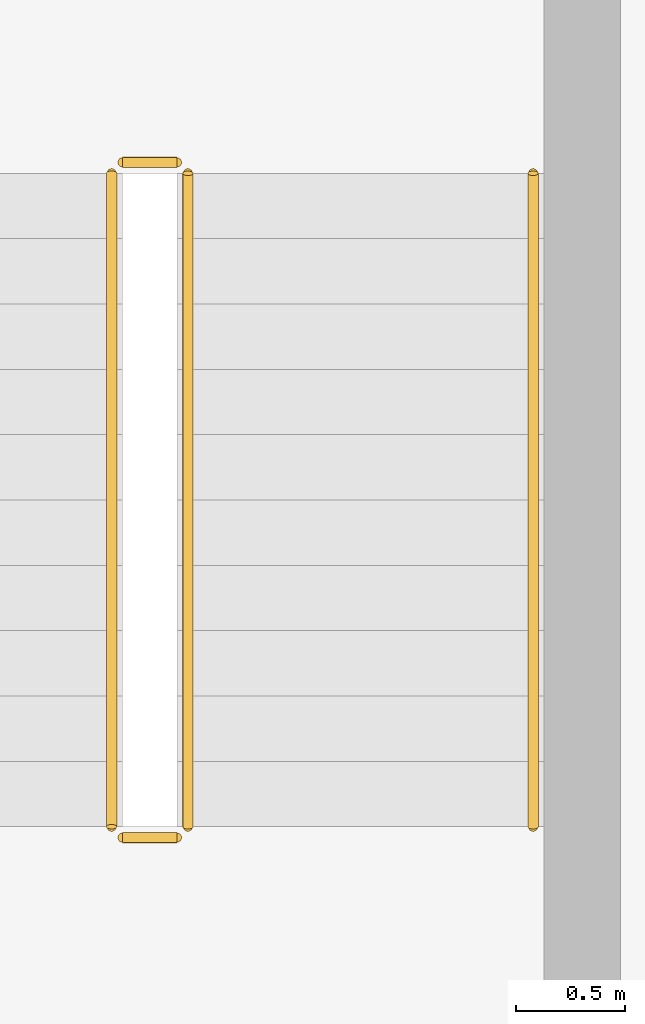
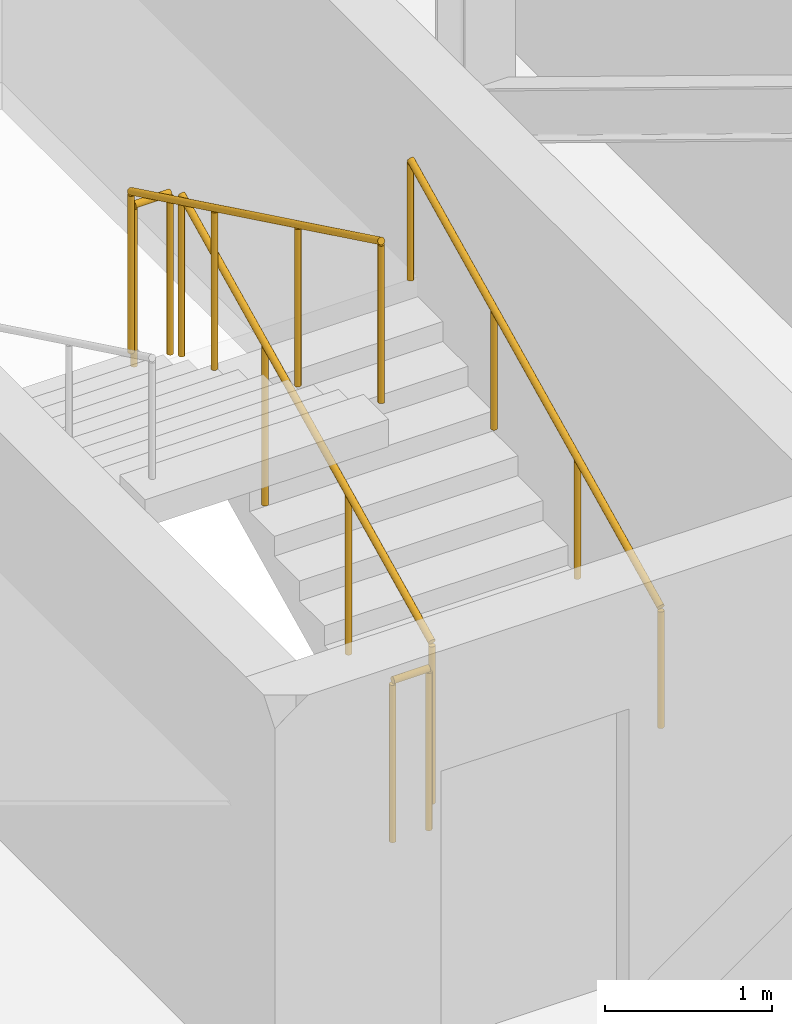
# One storey, part 27 of 30: 5 railings.
"""IFC4 building model written with IfcOpenShell, lengths in metres."""

from ifc_helpers import new_model, si_unit, direction, frame, origin, origin_2d, place, context, subcontext, project, spatial, circle, extrude, material, type_object, element, save


model = new_model("IFC4")

# Units and contexts
model_context = context("Model", 3, precision=1e-05, world=origin(), true_north=direction((0.0, 1.0)))
body_context = subcontext(model_context, "Body", "Model", "MODEL_VIEW")
ifc_project = project(units=[si_unit("LENGTHUNIT", "METRE"), si_unit("AREAUNIT", "SQUARE_METRE"), si_unit("VOLUMEUNIT", "CUBIC_METRE"), si_unit("PLANEANGLEUNIT", "RADIAN"), si_unit("MASSUNIT", "GRAM", prefix="KILO")], contexts=[model_context])

# Site, building, storey
site_placement = place(None, origin())
site = spatial("IfcSite", under=ifc_project, at=site_placement, CompositionType="ELEMENT")
building_placement = place(site_placement, origin())
building = spatial("IfcBuilding", under=site, at=building_placement, Name="Chuanluo Vaults Station", CompositionType="ELEMENT")
storey_placement = place(building_placement, frame((0.0, 0.0, 17.60009765625)))
storey = spatial("IfcBuildingStorey", under=building, at=storey_placement, Name="L04", CompositionType="ELEMENT", Elevation=17.60009765625)

# Railings
ifc_material_1 = material(Name="Tempered laminated balustrade glass", Category="glass")
railing_type_1 = type_object("IfcRailingType", Name="RLG-GUARD-1200", PredefinedType="BALUSTRADE", material=ifc_material_1)
railing_1_placement = place(storey_placement, frame((176.052490234375, 88.1875, 0.145263671875)))
element("IfcRailing", 1, at=railing_1_placement, inside=storey, type_object=railing_type_1, Name="L04 ST-01 stair guard 1", PredefinedType="BALUSTRADE", context=body_context, shape_type="SweptSolid", body=[
    extrude(circle(Radius=0.02392578125, at=origin_2d()), frame((0.0, 0.0, 1.17578125), z_axis=(0.0, 0.899808880547, 0.43628428632), x_axis=(-1.0, 0.0, 0.0)), (0.0, 0.0, 1.0), 3.333984375),
    extrude(circle(Radius=0.02099609375, at=origin_2d()), origin(), (0.0, 0.0, 1.0), 1.15185546875),
    extrude(circle(Radius=0.02099609375, at=origin_2d()), frame((0.0, 1.0, 0.48486328125)), (0.0, 0.0, 1.0), 1.15185546875),
    extrude(circle(Radius=0.02099609375, at=origin_2d()), frame((0.0, 2.0, 0.9697265625)), (0.0, 0.0, 1.0), 1.15185546875),
    extrude(circle(Radius=0.02099609375, at=origin_2d()), frame((0.0, 3.0, 1.45458984375)), (0.0, 0.0, 1.0), 1.15185546875),
])
railing_2_placement = place(storey_placement, frame((176.00244140625, 91.237548828125, 1.599853515625)))
element("IfcRailing", 2, at=railing_2_placement, inside=storey, type_object=railing_type_1, Name="L04 ST-01 stair guard 2", PredefinedType="BALUSTRADE", context=body_context, shape_type="SweptSolid", body=[
    extrude(circle(Radius=0.02392578125, at=origin_2d()), frame((0.0, 0.0, 1.17578125), z_axis=(-1.0, 0.0, 0.0), x_axis=(0.0, -1.0, 0.0)), (0.0, 0.0, 1.0), 0.25),
    extrude(circle(Radius=0.02099609375, at=origin_2d()), origin(), (0.0, 0.0, 1.0), 1.15185546875),
    extrude(circle(Radius=0.02099609375, at=origin_2d()), frame((-0.25, 0.0, 0.0)), (0.0, 0.0, 1.0), 1.15185546875),
])
railing_3_placement = place(storey_placement, frame((175.702392578125, 91.1875, 1.745361328125)))
element("IfcRailing", 3, at=railing_3_placement, inside=storey, type_object=railing_type_1, Name="L04 ST-01 stair guard 3", PredefinedType="BALUSTRADE", context=body_context, shape_type="SweptSolid", body=[
    extrude(circle(Radius=0.02392578125, at=origin_2d()), frame((0.0, 0.0, 1.17578125), z_axis=(0.0, -0.899808880547, 0.43628428632), x_axis=(1.0, 0.0, 0.0)), (0.0, 0.0, 1.0), 3.333984375),
    extrude(circle(Radius=0.02099609375, at=origin_2d()), origin(), (0.0, 0.0, 1.0), 1.15185546875),
    extrude(circle(Radius=0.02099609375, at=origin_2d()), frame((0.0, -1.0, 0.48486328125)), (0.0, 0.0, 1.0), 1.15185546875),
    extrude(circle(Radius=0.02099609375, at=origin_2d()), frame((0.0, -2.0, 0.9697265625)), (0.0, 0.0, 1.0), 1.15185546875),
    extrude(circle(Radius=0.02099609375, at=origin_2d()), frame((0.0, -3.0, 1.45458984375)), (0.0, 0.0, 1.0), 1.15185546875),
])
railing_4_placement = place(storey_placement, frame((176.00244140625, 88.137451171875, 0.0)))
element("IfcRailing", 4, at=railing_4_placement, inside=storey, type_object=railing_type_1, Name="L04 ST-01 stair guard 4", PredefinedType="BALUSTRADE", context=body_context, shape_type="SweptSolid", body=[
    extrude(circle(Radius=0.02392578125, at=origin_2d()), frame((0.0, 0.0, 1.17578125), z_axis=(-1.0, 0.0, 0.0), x_axis=(0.0, -1.0, 0.0)), (0.0, 0.0, 1.0), 0.25),
    extrude(circle(Radius=0.02099609375, at=origin_2d()), origin(), (0.0, 0.0, 1.0), 1.15185546875),
    extrude(circle(Radius=0.02099609375, at=origin_2d()), frame((-0.25, 0.0, 0.0)), (0.0, 0.0, 1.0), 1.15185546875),
])
ifc_material_2 = material(Name="Brushed stainless steel 304", Category="steel")
railing_type_2 = type_object("IfcRailingType", Name="RLG-HAND-900", PredefinedType="HANDRAIL", material=ifc_material_2)
railing_5_placement = place(storey_placement, frame((177.637451171875, 88.1875, 0.145263671875)))
element("IfcRailing", 5, at=railing_5_placement, inside=storey, type_object=railing_type_2, Name="L04 ST-01 stair handrail 1", PredefinedType="HANDRAIL", context=body_context, shape_type="SweptSolid", body=[
    extrude(circle(Radius=0.02392578125, at=origin_2d()), frame((0.0, 0.0, 0.8759765625), z_axis=(0.0, 0.899808880547, 0.43628428632), x_axis=(-1.0, 0.0, 0.0)), (0.0, 0.0, 1.0), 3.333984375),
    extrude(circle(Radius=0.02099609375, at=origin_2d()), origin(), (0.0, 0.0, 1.0), 0.851806640625),
    extrude(circle(Radius=0.02099609375, at=origin_2d()), frame((0.0, 1.0, 0.48486328125)), (0.0, 0.0, 1.0), 0.851806640625),
    extrude(circle(Radius=0.02099609375, at=origin_2d()), frame((0.0, 2.0, 0.9697265625)), (0.0, 0.0, 1.0), 0.851806640625),
    extrude(circle(Radius=0.02099609375, at=origin_2d()), frame((0.0, 3.0, 1.45458984375)), (0.0, 0.0, 1.0), 0.851806640625),
])

save(model, "model.ifc")
